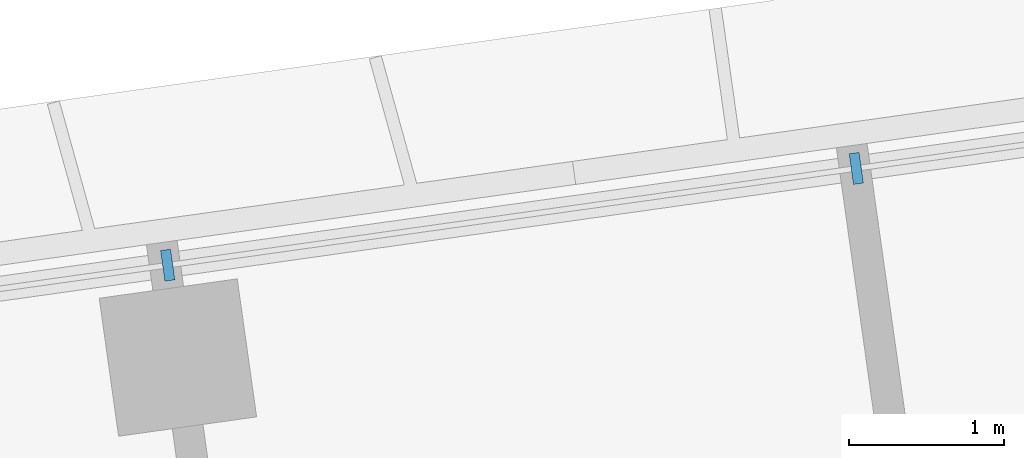
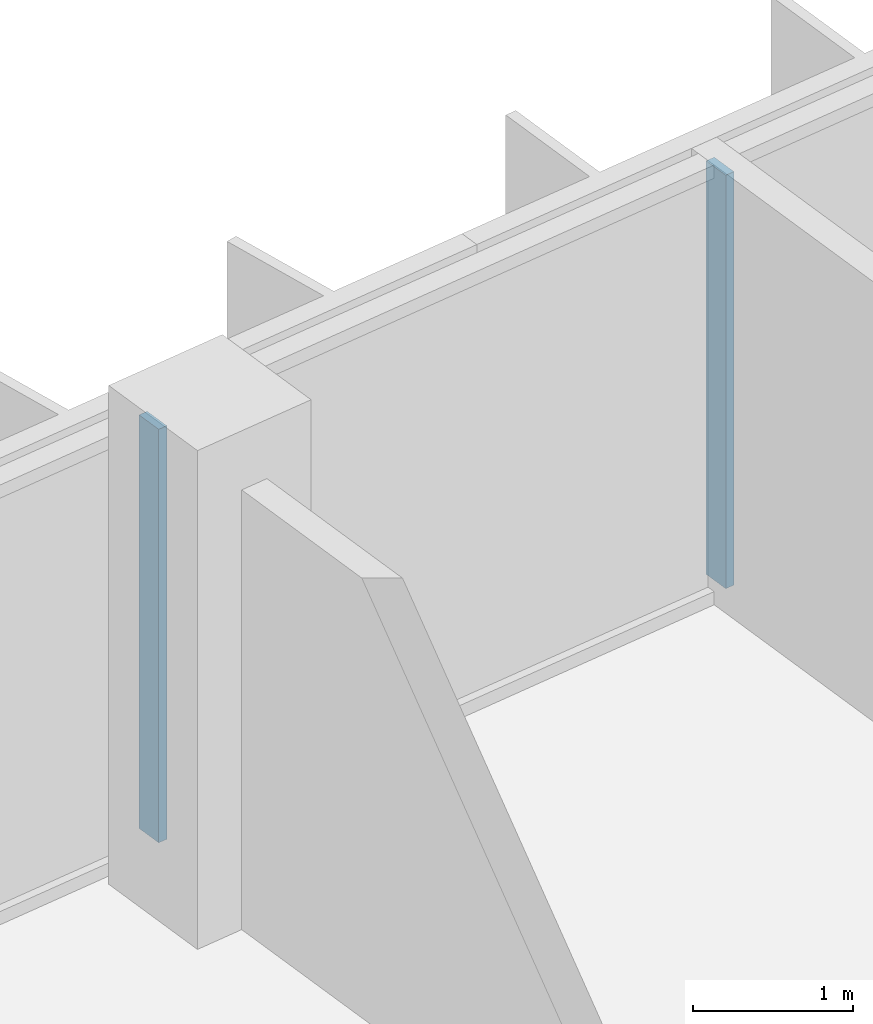
# One storey, part 8 of 25: 2 members, 1 element without a shape of its own.
"""IFC4 building model written with IfcOpenShell, lengths in metres."""

import ifcopenshell
import ifcopenshell.guid

model = None  # the IFC model being written
_history = None  # IfcOwnerHistory: only IFC2X3 demands one
_inside = {}  # id of a spatial element -> (the spatial element, [elements in it])
_under = {}  # id of a project, library or spatial element -> (it, [spatial elements below it])
_declared = {}  # id of a project -> (the project, [libraries it declares])
_typed = {}  # id of a type object -> (the type object, [elements of that type])
_made_of = {}  # id of a material, layer set ... -> (it, [elements and type objects made of it])


def new_model(schema):
    """Start an empty IFC model of exactly this schema.

    Asked for "IFC4X3", IfcOpenShell would pick the latest addendum, in which some entities
    have other attributes; the version numbers below select the first issue.
    IFC2X3 requires an IfcOwnerHistory on every rooted entity: one is made here for all.
    """
    global model, _history
    if schema == "IFC4X3":
        model = ifcopenshell.file(schema_version=(4, 3, 0, 0))
    else:
        model = ifcopenshell.file(schema=schema)
    _inside.clear()
    _under.clear()
    _declared.clear()
    _typed.clear()
    _made_of.clear()
    _history = None
    if model.schema == "IFC2X3":
        org = make("IfcOrganization", Name="unknown")
        user = make(
            "IfcPersonAndOrganization",
            ThePerson=make("IfcPerson", FamilyName="unknown"),
            TheOrganization=org,
        )
        app = make(
            "IfcApplication",
            ApplicationDeveloper=org,
            Version="unknown",
            ApplicationFullName="unknown",
            ApplicationIdentifier="unknown",
        )
        _history = make(
            "IfcOwnerHistory",
            OwningUser=user,
            OwningApplication=app,
            ChangeAction="ADDED",
            CreationDate=0,
        )
    return model


def make(cls, **values):
    """One entity of the class cls with the attributes given. An attribute that is None is left unset."""
    return model.create_entity(
        cls, **{name: value for name, value in values.items() if value is not None}
    )


def rooted(cls, **values):
    """An entity with a GlobalId (a new one), such as an element, a storey or a relation."""
    return make(cls, GlobalId=ifcopenshell.guid.new(), OwnerHistory=_history, **values)


def si_unit(unit_type, name, prefix=None):
    """IfcSIUnit, for example si_unit("LENGTHUNIT", "METRE", prefix="MILLI")."""
    return make("IfcSIUnit", UnitType=unit_type, Prefix=prefix, Name=name)


def assignment(units):
    """IfcUnitAssignment: the units of a project."""
    return None if units is None else make("IfcUnitAssignment", Units=units)


def point(xyz):
    """IfcCartesianPoint."""
    return None if xyz is None else make("IfcCartesianPoint", Coordinates=xyz)


def direction(xyz):
    """IfcDirection."""
    return None if xyz is None else make("IfcDirection", DirectionRatios=xyz)


def frame(location, z_axis=None, x_axis=None):
    """IfcAxis2Placement3D, a coordinate frame: its origin and axes. An axis left out is left unset."""
    return make(
        "IfcAxis2Placement3D",
        Location=point(location),
        Axis=direction(z_axis),
        RefDirection=direction(x_axis),
    )


def frame_2d(location, x_axis=None):
    """IfcAxis2Placement2D, a coordinate frame in the plane: its origin and x axis."""
    return make(
        "IfcAxis2Placement2D", Location=point(location), RefDirection=direction(x_axis)
    )


def origin():
    """The frame at (0, 0, 0) with its axes left unset."""
    return frame((0.0, 0.0, 0.0))


def origin_2d():
    """The frame at (0, 0) in the plane with its x axis left unset."""
    return frame_2d((0.0, 0.0))


def place(relative_to, where):
    """IfcLocalPlacement: puts the frame where relative to a parent placement (None: the world)."""
    return make(
        "IfcLocalPlacement", PlacementRelTo=relative_to, RelativePlacement=where
    )


def context(
    kind, dimensions, precision=None, world=None, true_north=None, identifier=None
):
    """IfcGeometricRepresentationContext, for example the 3D "Model" context."""
    return make(
        "IfcGeometricRepresentationContext",
        ContextIdentifier=identifier,
        ContextType=kind,
        CoordinateSpaceDimension=dimensions,
        Precision=precision,
        WorldCoordinateSystem=world,
        TrueNorth=true_north,
    )


def subcontext(parent, identifier, kind, view, scale=None):
    """IfcGeometricRepresentationSubContext, for example "Body" below "Model"."""
    return make(
        "IfcGeometricRepresentationSubContext",
        ContextIdentifier=identifier,
        ContextType=kind,
        ParentContext=parent,
        TargetScale=scale,
        TargetView=view,
    )


def project(units=None, contexts=None):
    """IfcProject with its units and contexts."""
    return rooted(
        "IfcProject",
        Name="project",
        RepresentationContexts=contexts,
        UnitsInContext=assignment(units),
    )


def spatial(cls, under=None, at=None, **own):
    """A site, building, storey or space (cls), placed at a placement, below another one or the project."""
    s = rooted(cls, ObjectPlacement=at, **own)
    if under is not None:
        _under.setdefault(under.id(), (under, []))[1].append(s)
    return s


def profile(cls, at=None, kind="AREA", **sizes):
    """A parametric profile (cls). Its sizes go by their IFC names, for example OverallWidth=200.0."""
    return make(cls, ProfileType=kind, Position=at, **sizes)


def rectangle(**sizes):
    """IfcRectangleProfileDef."""
    return profile("IfcRectangleProfileDef", **sizes)


def extrude(swept, where, along, depth):
    """IfcExtrudedAreaSolid: the profile swept, set in the frame where, extruded along a direction by depth."""
    return make(
        "IfcExtrudedAreaSolid",
        SweptArea=swept,
        Position=where,
        ExtrudedDirection=direction(along),
        Depth=depth,
    )


def shape(context_of_items, identifier, shape_type, items):
    """IfcShapeRepresentation: the items that make up one representation, for example the "Body"."""
    return make(
        "IfcShapeRepresentation",
        ContextOfItems=context_of_items,
        RepresentationIdentifier=identifier,
        RepresentationType=shape_type,
        Items=items,
    )


def material(Name=None, Category=None):
    """IfcMaterial."""
    return make("IfcMaterial", Name=Name, Category=Category)


def material_profile(
    of_material, cross_section, Name=None, Category=None, Priority=None
):
    """IfcMaterialProfile: a cross section and its material."""
    return make(
        "IfcMaterialProfile",
        Name=Name,
        Material=of_material,
        Profile=cross_section,
        Priority=Priority,
        Category=Category,
    )


def profile_set(profiles, Name=None, composite=None):
    """IfcMaterialProfileSet."""
    return make(
        "IfcMaterialProfileSet",
        Name=Name,
        MaterialProfiles=profiles,
        CompositeProfile=composite,
    )


def made_of(thing, what):
    """Note that an element or type object is made of a material, layer set ...; save() writes the relation."""
    if what is not None:
        _made_of.setdefault(what.id(), (what, []))[1].append(thing)
    return thing


def type_object(cls, material=None, **own):
    """A type object (cls), such as IfcWallType, which elements share."""
    return made_of(rooted(cls, **own), material)


def element(
    cls,
    number,
    at=None,
    inside=None,
    cuts=None,
    type_object=None,
    material=None,
    context=None,
    identifier="Body",
    shape_type=None,
    held_by="IfcProductDefinitionShape",
    body=None,
    shapes=None,
    **own,
):
    """One element of the class cls, such as IfcWall. Its Tag is "e" and its number.

    at: its placement. inside: the storey or other place that contains it. cuts: it is an
    opening in that element (IfcRelVoidsElement). A single representation is given by context,
    identifier, shape_type and body (its items); several are given by shapes. held_by: the class
    of the entity that holds the representations. save() writes the other relations.
    """
    e = rooted(cls, Tag="e%d" % number, ObjectPlacement=at, **own)
    if body is not None:
        shapes = [shape(context, identifier, shape_type, body)]
    if shapes is not None:
        e.Representation = make(held_by, Representations=shapes)
    if inside is not None:
        _inside.setdefault(inside.id(), (inside, []))[1].append(e)
    if cuts is not None:
        rooted(
            "IfcRelVoidsElement", RelatingBuildingElement=cuts, RelatedOpeningElement=e
        )
    if type_object is not None:
        _typed.setdefault(type_object.id(), (type_object, []))[1].append(e)
    return made_of(e, material)


def aggregate(whole, parts):
    """IfcRelAggregates: a whole, such as a stair, and the parts it consists of."""
    return rooted("IfcRelAggregates", RelatingObject=whole, RelatedObjects=parts)


def save(model, path):
    """Write the relations noted so far, then the file.

    IfcRelAggregates (storeys below a building ...), IfcRelContainedInSpatialStructure (elements
    in a storey), IfcRelDefinesByType, IfcRelAssociatesMaterial and IfcRelDeclares: one each for
    every whole, place, type object, material and project.
    """
    for whole, parts in _under.values():
        aggregate(whole, parts)
    for where, things in _inside.values():
        rooted(
            "IfcRelContainedInSpatialStructure",
            RelatedElements=things,
            RelatingStructure=where,
        )
    for kind, things in _typed.values():
        rooted("IfcRelDefinesByType", RelatedObjects=things, RelatingType=kind)
    for what, things in _made_of.values():
        rooted("IfcRelAssociatesMaterial", RelatedObjects=things, RelatingMaterial=what)
    for by, libraries in _declared.values():
        rooted("IfcRelDeclares", RelatingContext=by, RelatedDefinitions=libraries)
    model.write(path)


model = new_model("IFC4")

# Units and contexts
model_context = context("Model", 3, precision=1e-05, world=origin(), true_north=direction((0.0, 1.0)))
body_context = subcontext(model_context, "Body", "Model", "MODEL_VIEW")
ifc_project = project(units=[si_unit("LENGTHUNIT", "METRE"), si_unit("AREAUNIT", "SQUARE_METRE"), si_unit("VOLUMEUNIT", "CUBIC_METRE"), si_unit("PLANEANGLEUNIT", "RADIAN"), si_unit("MASSUNIT", "GRAM", prefix="KILO")], contexts=[model_context])

# Site, building, storey
site_placement = place(None, origin())
site = spatial("IfcSite", under=ifc_project, at=site_placement, CompositionType="ELEMENT")
building_placement = place(site_placement, origin())
building = spatial("IfcBuilding", under=site, at=building_placement, Name="Mirante Cascada Hotel Towers", CompositionType="ELEMENT")
storey_placement = place(building_placement, frame((0.0, 0.0, 136.7)))
storey = spatial("IfcBuildingStorey", under=building, at=storey_placement, Name="L31", CompositionType="ELEMENT", Elevation=136.7)

# Curtain wall, members
ifc_material_1 = material(Name="Aluminium mullion and transom frame with clear laminated glass", Category="aluminium")
curtain_wall_type = type_object("IfcCurtainWallType", Name="Ribbon curtain wall ECW1", PredefinedType="NOTDEFINED", material=ifc_material_1)
curtain_wall_placement = place(storey_placement, origin())
curtain_wall = element("IfcCurtainWall", 1, at=curtain_wall_placement, inside=storey, type_object=curtain_wall_type, Name="Front ribbon wall T2 L31", PredefinedType="NOTDEFINED")
ifc_material_2 = material(Name="Anodised aluminium extrusion", Category="aluminium")
ifc_material_profile = material_profile(ifc_material_2, rectangle(XDim=0.2, YDim=0.065, at=origin_2d()), Name="ECW1 MULLION 65x200")
ifc_profile_set = profile_set([ifc_material_profile], Name="Anodised aluminium extrusion")
member_type = type_object("IfcMemberType", Name="ECW1 mullion 65x200", PredefinedType="MULLION", material=ifc_profile_set)
member_1_placement = place(storey_placement, frame((58.5788, 21.0517, 0.1), z_axis=(0.0, 0.0, 1.0), x_axis=(0.1391731, -0.9902681, 0.0)))
member_1 = element("IfcMember", 2, at=member_1_placement, type_object=member_type, Name="ECW1 mullion 9", PredefinedType="MULLION", context=body_context, shape_type="SweptSolid", body=[
    extrude(rectangle(XDim=0.2, YDim=0.065, at=origin_2d()), origin(), (0.0, 0.0, 1.0), 3.15),
])
member_2_placement = place(storey_placement, frame((54.1314, 20.4267, 0.1), z_axis=(0.0, 0.0, 1.0), x_axis=(0.1391731, -0.9902681, 0.0)))
member_2 = element("IfcMember", 3, at=member_2_placement, type_object=member_type, Name="ECW1 mullion 10", PredefinedType="MULLION", context=body_context, shape_type="SweptSolid", body=[
    extrude(rectangle(XDim=0.2, YDim=0.065, at=origin_2d()), origin(), (0.0, 0.0, 1.0), 3.15),
])
aggregate(curtain_wall, [member_1, member_2])

save(model, "model.ifc")
